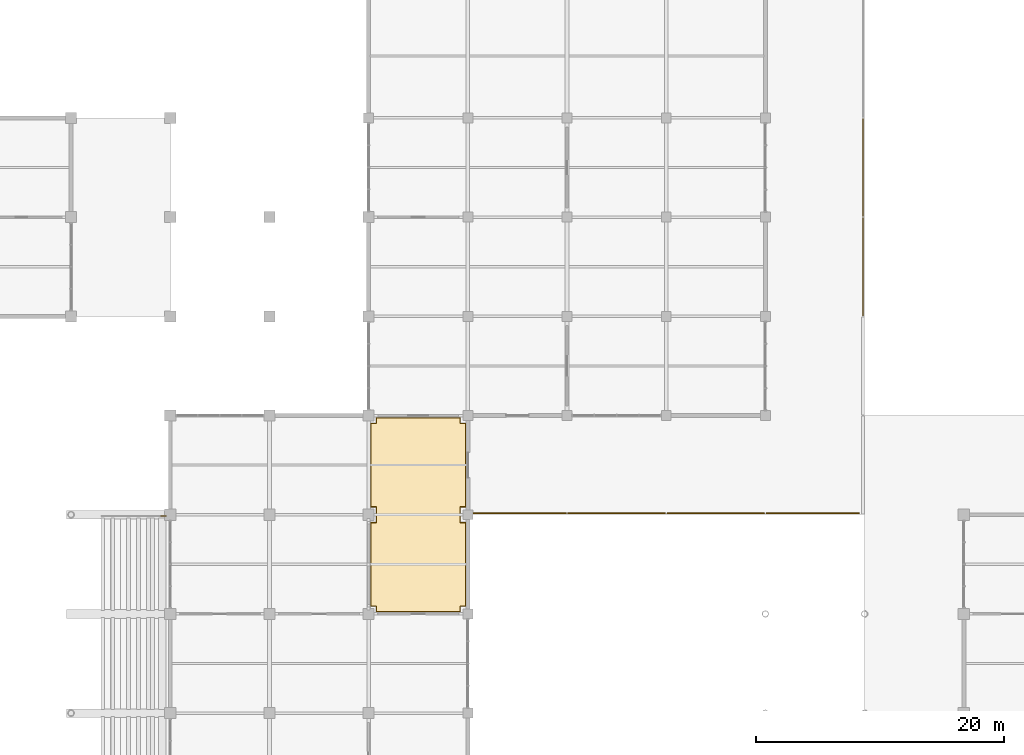
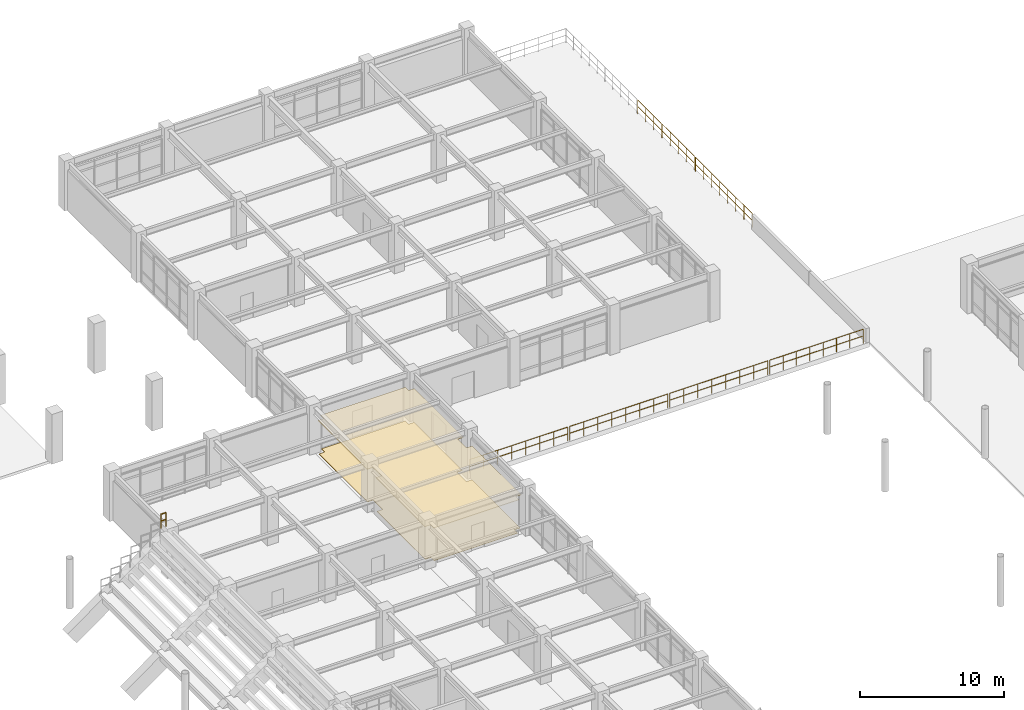
# One storey, part 117 of 118: 7 railings, 2 coverings.
"""IFC4 building model written with IfcOpenShell, lengths in metres."""

from ifc_helpers import new_model, si_unit, direction, frame, origin, origin_2d, place, context, subcontext, project, spatial, polyline, circle, outline, extrude, material, layer, layer_set, type_object, element, save


model = new_model("IFC4")

# Units and contexts
model_context = context("Model", 3, precision=1e-05, world=origin(), true_north=direction((0.0, 1.0)))
body_context = subcontext(model_context, "Body", "Model", "MODEL_VIEW")
ifc_project = project(units=[si_unit("LENGTHUNIT", "METRE"), si_unit("AREAUNIT", "SQUARE_METRE"), si_unit("VOLUMEUNIT", "CUBIC_METRE"), si_unit("PLANEANGLEUNIT", "RADIAN"), si_unit("MASSUNIT", "GRAM", prefix="KILO")], contexts=[model_context])

# Site, building, storey
site_placement = place(None, origin())
site = spatial("IfcSite", under=ifc_project, at=site_placement, CompositionType="ELEMENT")
building_placement = place(site_placement, origin())
building = spatial("IfcBuilding", under=site, at=building_placement, Name="Haebicheon Civic Stadium", CompositionType="ELEMENT")
storey_placement = place(building_placement, frame((0.0, 0.0, 14.39990234375)))
storey = spatial("IfcBuildingStorey", under=building, at=storey_placement, Name="L04", CompositionType="ELEMENT", Elevation=14.39990234375)

# Coverings
ifc_material_1 = material(Name="Perforated mineral-fibre acoustic board", Category="gypsum")
ifc_layer_1 = layer(ifc_material_1, 0.0400390625, Name="Perforated mineral-fibre acoustic board")
ifc_layer_set_1 = layer_set([ifc_layer_1], Name="Perforated mineral-fibre acoustic board")
covering_type_1 = type_object("IfcCoveringType", Name="COV-CLG-AC", PredefinedType="CEILING", material=ifc_layer_set_1)
covering_1_placement = place(storey_placement, frame((0.0, 0.0, 2.81005859375)))
element("IfcCovering", 1, at=covering_1_placement, inside=storey, type_object=covering_type_1, material=ifc_layer_set_1, Name="L04 Hospitality Suite acoustic ceiling", PredefinedType="CEILING", context=body_context, shape_type="SweptSolid", body=[
    extrude(outline(polyline([(160.594970703125, 128.14501953125), (160.594970703125, 128.594970703125), (160.14501953125, 128.594970703125), (160.14501953125, 135.405029296875), (160.594970703125, 135.405029296875), (160.594970703125, 136.594970703125), (160.14501953125, 136.594970703125), (160.14501953125, 143.405029296875), (160.594970703125, 143.405029296875), (160.594970703125, 143.85498046875), (167.405029296875, 143.85498046875), (167.405029296875, 143.405029296875), (167.85498046875, 143.405029296875), (167.85498046875, 136.594970703125), (167.405029296875, 136.594970703125), (167.405029296875, 135.405029296875), (167.85498046875, 135.405029296875), (167.85498046875, 128.594970703125), (167.405029296875, 128.594970703125), (167.405029296875, 128.14501953125), (160.594970703125, 128.14501953125)])), origin(), (0.0, 0.0, 1.0), 0.0400390625),
])
ifc_material_2 = material(Name="Quartz epoxy resin mortar", Category="concrete")
ifc_layer_2 = layer(ifc_material_2, 0.030029296875, Name="Quartz epoxy resin mortar")
ifc_layer_set_2 = layer_set([ifc_layer_2], Name="Quartz epoxy resin mortar")
covering_type_2 = type_object("IfcCoveringType", Name="COV-FLR-EPX", PredefinedType="FLOORING", material=ifc_layer_set_2)
covering_2_placement = place(storey_placement, origin())
element("IfcCovering", 2, at=covering_2_placement, inside=storey, type_object=covering_type_2, material=ifc_layer_set_2, Name="L04 Hospitality Suite non-slip floor finish", PredefinedType="FLOORING", context=body_context, shape_type="SweptSolid", body=[
    extrude(outline(polyline([(160.64990234375, 128.199951171875), (160.64990234375, 128.64990234375), (160.199951171875, 128.64990234375), (160.199951171875, 135.35009765625), (160.64990234375, 135.35009765625), (160.64990234375, 136.64990234375), (160.199951171875, 136.64990234375), (160.199951171875, 143.35009765625), (160.64990234375, 143.35009765625), (160.64990234375, 143.800048828125), (167.35009765625, 143.800048828125), (167.35009765625, 143.35009765625), (167.800048828125, 143.35009765625), (167.800048828125, 136.64990234375), (167.35009765625, 136.64990234375), (167.35009765625, 135.35009765625), (167.800048828125, 135.35009765625), (167.800048828125, 128.64990234375), (167.35009765625, 128.64990234375), (167.35009765625, 128.199951171875), (160.64990234375, 128.199951171875)])), origin(), (0.0, 0.0, 1.0), 0.030029296875),
])

# Railings
ifc_material_3 = material(Name="Stainless steel 316 and laminated glass", Category="steel")
railing_type = type_object("IfcRailingType", Name="RL-BAL-1200", PredefinedType="BALUSTRADE", material=ifc_material_3)
for number, where, name in (
    (3, (168.080078125, 136.1201171875, 0.0), "L04 terrace perimeter balustrade 02"),
    (4, (176.080078125, 136.1201171875, 0.0), "L04 terrace perimeter balustrade 04"),
    (5, (184.080078125, 136.1201171875, 0.0), "L04 terrace perimeter balustrade 06"),
):
    element("IfcRailing", number, at=place(storey_placement, frame(where)), inside=storey, type_object=railing_type, material=ifc_material_3, Name=name, PredefinedType="BALUSTRADE", context=body_context, shape_type="SweptSolid", body=[
        extrude(circle(Radius=0.02392578125, at=origin_2d()), frame((0.0, 0.0, 1.17578125), z_axis=(1.0, 0.0, 0.0), x_axis=(0.0, 1.0, 0.0)), (0.0, 0.0, 1.0), 7.83984375),
        extrude(circle(Radius=0.02392578125, at=origin_2d()), frame((0.0, 0.0, 0.60009765625), z_axis=(1.0, 0.0, 0.0), x_axis=(0.0, 1.0, 0.0)), (0.0, 0.0, 1.0), 7.83984375),
        extrude(circle(Radius=0.02099609375, at=origin_2d()), origin(), (0.0, 0.0, 1.0), 1.15185546875),
        extrude(circle(Radius=0.02099609375, at=origin_2d()), frame((1.119873046875, 0.0, 0.0)), (0.0, 0.0, 1.0), 1.15185546875),
        extrude(circle(Radius=0.02099609375, at=origin_2d()), frame((2.239990234375, 0.0, 0.0)), (0.0, 0.0, 1.0), 1.15185546875),
        extrude(circle(Radius=0.02099609375, at=origin_2d()), frame((3.35986328125, 0.0, 0.0)), (0.0, 0.0, 1.0), 1.15185546875),
        extrude(circle(Radius=0.02099609375, at=origin_2d()), frame((4.47998046875, 0.0, 0.0)), (0.0, 0.0, 1.0), 1.15185546875),
        extrude(circle(Radius=0.02099609375, at=origin_2d()), frame((5.599853515625, 0.0, 0.0)), (0.0, 0.0, 1.0), 1.15185546875),
        extrude(circle(Radius=0.02099609375, at=origin_2d()), frame((6.719970703125, 0.0, 0.0)), (0.0, 0.0, 1.0), 1.15185546875),
        extrude(circle(Radius=0.02099609375, at=origin_2d()), frame((7.83984375, 0.0, 0.0)), (0.0, 0.0, 1.0), 1.15185546875),
    ])
railing_1_placement = place(storey_placement, frame((192.080078125, 136.1201171875, 0.0)))
element("IfcRailing", 6, at=railing_1_placement, inside=storey, type_object=railing_type, material=ifc_material_3, Name="L04 terrace perimeter balustrade 13", PredefinedType="BALUSTRADE", context=body_context, shape_type="SweptSolid", body=[
    extrude(circle(Radius=0.02392578125, at=origin_2d()), frame((0.0, 0.0, 1.17578125), z_axis=(1.0, 0.0, 0.0), x_axis=(0.0, 1.0, 0.0)), (0.0, 0.0, 1.0), 7.469970703125),
    extrude(circle(Radius=0.02392578125, at=origin_2d()), frame((0.0, 0.0, 0.60009765625), z_axis=(1.0, 0.0, 0.0), x_axis=(0.0, 1.0, 0.0)), (0.0, 0.0, 1.0), 7.469970703125),
    extrude(circle(Radius=0.02099609375, at=origin_2d()), origin(), (0.0, 0.0, 1.0), 1.15185546875),
    extrude(circle(Radius=0.02099609375, at=origin_2d()), frame((1.067138671875, 0.0, 0.0)), (0.0, 0.0, 1.0), 1.15185546875),
    extrude(circle(Radius=0.02099609375, at=origin_2d()), frame((2.13427734375, 0.0, 0.0)), (0.0, 0.0, 1.0), 1.15185546875),
    extrude(circle(Radius=0.02099609375, at=origin_2d()), frame((3.201416015625, 0.0, 0.0)), (0.0, 0.0, 1.0), 1.15185546875),
    extrude(circle(Radius=0.02099609375, at=origin_2d()), frame((4.2685546875, 0.0, 0.0)), (0.0, 0.0, 1.0), 1.15185546875),
    extrude(circle(Radius=0.02099609375, at=origin_2d()), frame((5.335693359375, 0.0, 0.0)), (0.0, 0.0, 1.0), 1.15185546875),
    extrude(circle(Radius=0.02099609375, at=origin_2d()), frame((6.40283203125, 0.0, 0.0)), (0.0, 0.0, 1.0), 1.15185546875),
    extrude(circle(Radius=0.02099609375, at=origin_2d()), frame((7.469970703125, 0.0, 0.0)), (0.0, 0.0, 1.0), 1.15185546875),
])
for number, where, name in (
    (7, (199.8798828125, 152.080078125, 0.0), "L04 terrace perimeter balustrade 14"),
    (8, (199.8798828125, 160.080078125, 0.0), "L04 terrace perimeter balustrade 15"),
):
    element("IfcRailing", number, at=place(storey_placement, frame(where)), inside=storey, type_object=railing_type, material=ifc_material_3, Name=name, PredefinedType="BALUSTRADE", context=body_context, shape_type="SweptSolid", body=[
        extrude(circle(Radius=0.02392578125, at=origin_2d()), frame((0.0, 0.0, 1.17578125), z_axis=(0.0, 1.0, 0.0), x_axis=(-1.0, 0.0, 0.0)), (0.0, 0.0, 1.0), 7.83984375),
        extrude(circle(Radius=0.02392578125, at=origin_2d()), frame((0.0, 0.0, 0.60009765625), z_axis=(0.0, 1.0, 0.0), x_axis=(-1.0, 0.0, 0.0)), (0.0, 0.0, 1.0), 7.83984375),
        extrude(circle(Radius=0.02099609375, at=origin_2d()), origin(), (0.0, 0.0, 1.0), 1.15185546875),
        extrude(circle(Radius=0.02099609375, at=origin_2d()), frame((0.0, 1.119873046875, 0.0)), (0.0, 0.0, 1.0), 1.15185546875),
        extrude(circle(Radius=0.02099609375, at=origin_2d()), frame((0.0, 2.239990234375, 0.0)), (0.0, 0.0, 1.0), 1.15185546875),
        extrude(circle(Radius=0.02099609375, at=origin_2d()), frame((0.0, 3.35986328125, 0.0)), (0.0, 0.0, 1.0), 1.15185546875),
        extrude(circle(Radius=0.02099609375, at=origin_2d()), frame((0.0, 4.47998046875, 0.0)), (0.0, 0.0, 1.0), 1.15185546875),
        extrude(circle(Radius=0.02099609375, at=origin_2d()), frame((0.0, 5.599853515625, 0.0)), (0.0, 0.0, 1.0), 1.15185546875),
        extrude(circle(Radius=0.02099609375, at=origin_2d()), frame((0.0, 6.719970703125, 0.0)), (0.0, 0.0, 1.0), 1.15185546875),
        extrude(circle(Radius=0.02099609375, at=origin_2d()), frame((0.0, 7.83984375, 0.0)), (0.0, 0.0, 1.0), 1.15185546875),
    ])
railing_2_placement = place(storey_placement, frame((143.239990234375, 135.89990234375, 4.2001953125)))
element("IfcRailing", 9, at=railing_2_placement, inside=storey, type_object=railing_type, material=ifc_material_3, Name="TIER-E-U end-aisle side guard N.10", PredefinedType="BALUSTRADE", context=body_context, shape_type="SweptSolid", body=[
    extrude(circle(Radius=0.02392578125, at=origin_2d()), frame((0.0, 0.0, 1.17578125), z_axis=(1.0, 0.0, 0.0), x_axis=(0.0, 1.0, 0.0)), (0.0, 0.0, 1.0), 0.39990234375),
    extrude(circle(Radius=0.02392578125, at=origin_2d()), frame((0.0, 0.0, 0.60009765625), z_axis=(1.0, 0.0, 0.0), x_axis=(0.0, 1.0, 0.0)), (0.0, 0.0, 1.0), 0.39990234375),
    extrude(circle(Radius=0.02099609375, at=origin_2d()), origin(), (0.0, 0.0, 1.0), 1.15185546875),
    extrude(circle(Radius=0.02099609375, at=origin_2d()), frame((0.39990234375, 0.0, 0.0)), (0.0, 0.0, 1.0), 1.15185546875),
])

save(model, "model.ifc")
